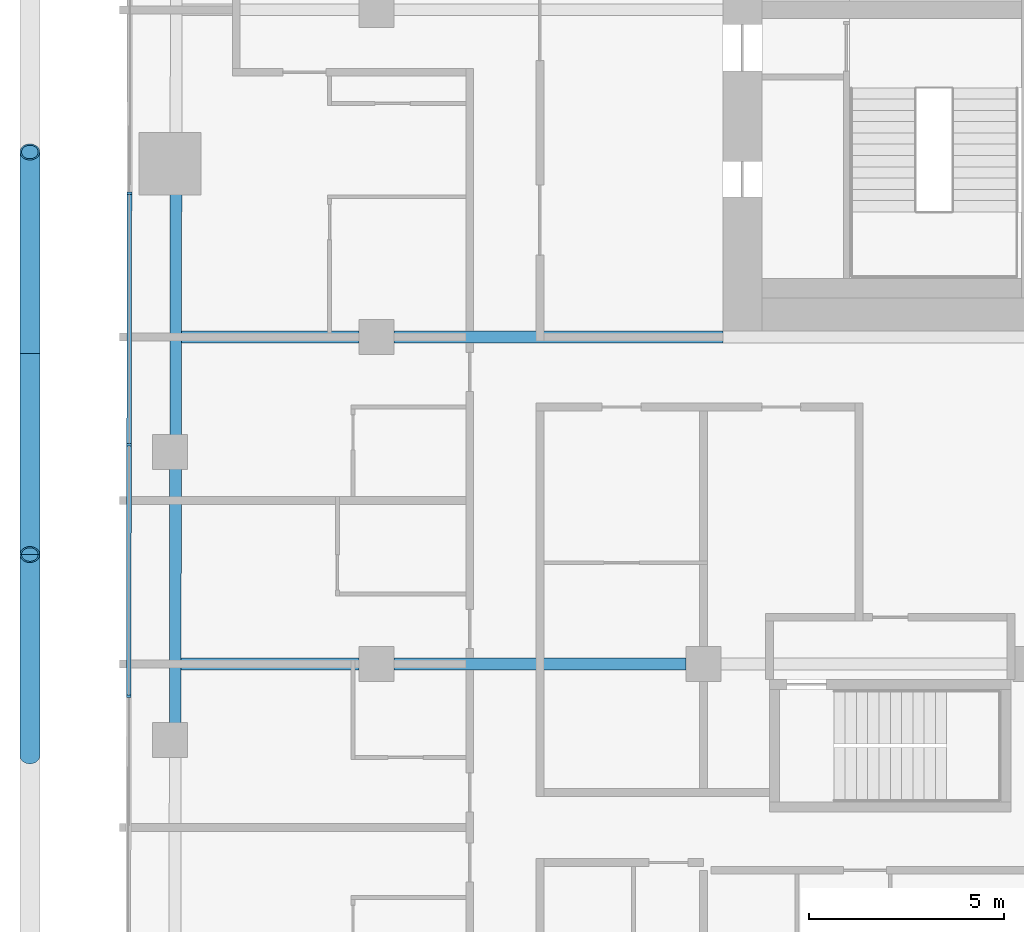
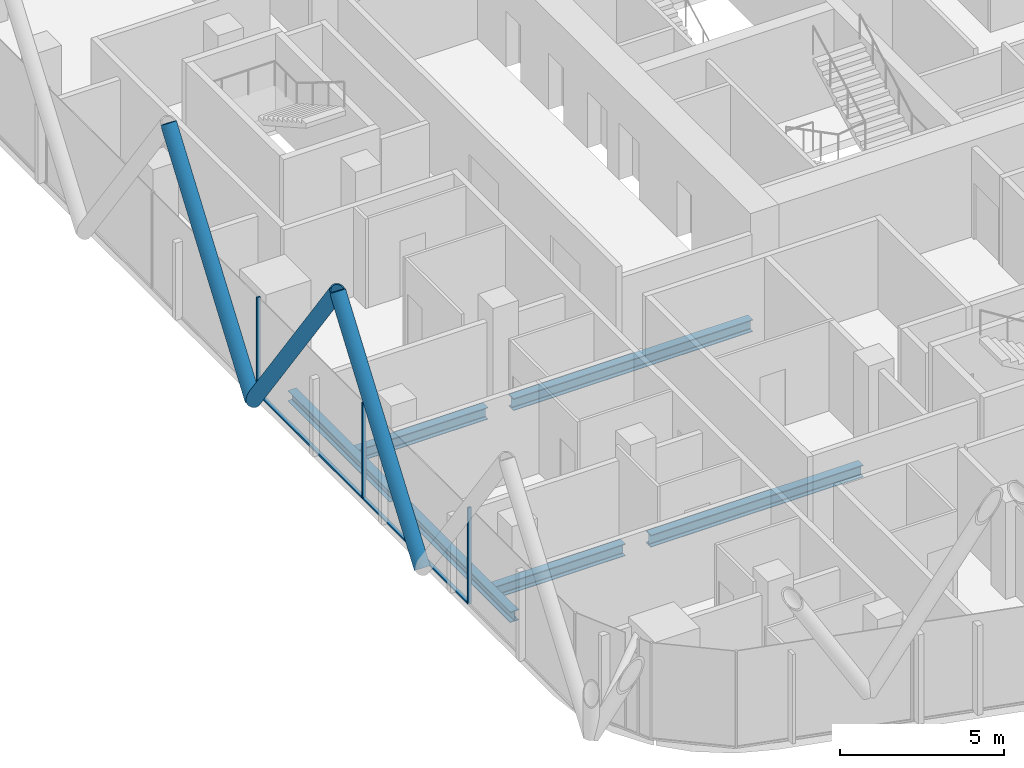
# One storey, part 4 of 33: 8 members, 6 beams, 1 element without a shape of its own.
"""IFC4 building model written with IfcOpenShell, lengths in metres."""

from ifc_helpers import new_model, si_unit, direction, frame, origin, origin_2d, place, context, subcontext, project, spatial, rectangle, hollow_circle, i_section, extrude, material, layer, layer_set, material_profile, profile_set, type_object, element, aggregate, save


model = new_model("IFC4")

# Units and contexts
model_context = context("Model", 3, precision=1e-05, world=origin(), true_north=direction((0.0, 1.0)))
body_context = subcontext(model_context, "Body", "Model", "MODEL_VIEW")
ifc_project = project(units=[si_unit("LENGTHUNIT", "METRE"), si_unit("AREAUNIT", "SQUARE_METRE"), si_unit("VOLUMEUNIT", "CUBIC_METRE"), si_unit("PLANEANGLEUNIT", "RADIAN"), si_unit("MASSUNIT", "GRAM", prefix="KILO")], contexts=[model_context])

# Site, building, storey
site_placement = place(None, origin())
site = spatial("IfcSite", under=ifc_project, at=site_placement, CompositionType="ELEMENT")
building_placement = place(site_placement, origin())
building = spatial("IfcBuilding", under=site, at=building_placement, Name="Marenta Gate Hotel Tower", CompositionType="ELEMENT")
storey_placement = place(building_placement, frame((0.0, 0.0, 151.699951171875)))
storey = spatial("IfcBuildingStorey", under=building, at=storey_placement, Name="L35", CompositionType="ELEMENT", Elevation=151.699951171875)

# Members
ifc_material_1 = material(Name="Steel S355J2W", Category="steel")
ifc_material_profile_1 = material_profile(ifc_material_1, hollow_circle(Radius=0.25390625, WallThickness=0.0400390625, at=origin_2d()), Name="CHS 508x40")
ifc_profile_set_1 = profile_set([ifc_material_profile_1], Name="Steel S355J2W")
member_type_1 = type_object("IfcMemberType", Name="Diagrid diagonal Z2 CHS 508x40", PredefinedType="BRACE", material=ifc_profile_set_1)
for number, where, z_axis, x_axis, name in (
    (1, (-29.89990234375, -10.760009765625, 3.14013671875), (0.0, 0.583260841117, 0.812284919975), (-1.0, 0.0, 0.0), "L35-DG-27"),
    (2, (-29.89990234375, -0.420166015625, 3.14013671875), (0.0, -0.583260841117, 0.812284919975), (1.0, 0.0, 0.0), "L35-DG-28"),
):
    element("IfcMember", number, at=place(storey_placement, frame(where, z_axis=z_axis, x_axis=x_axis)), inside=storey, type_object=member_type_1, Name=name, PredefinedType="BRACE", context=body_context, shape_type="SweptSolid", body=[
        extrude(hollow_circle(Radius=0.25390625, WallThickness=0.0400390625, at=origin_2d()), origin(), (0.0, 0.0, 1.0), 8.86376953125),
    ])
member_1_placement = place(storey_placement, frame((-29.89990234375, -0.420166015625, 3.14013671875), z_axis=(0.0, 0.583279014058, 0.812271870595), x_axis=(-1.0, 0.0, 0.0)))
element("IfcMember", 3, at=member_1_placement, inside=storey, type_object=member_type_1, Name="L35-DG-29", PredefinedType="BRACE", context=body_context, shape_type="SweptSolid", body=[
    extrude(hollow_circle(Radius=0.25390625, WallThickness=0.0400390625, at=origin_2d()), origin(), (0.0, 0.0, 1.0), 8.864013671875),
])

# Beams
ifc_material_2 = material(Name="Steel S355", Category="steel")
ifc_material_profile_2 = material_profile(ifc_material_2, i_section(OverallWidth=0.300048828125, OverallDepth=0.39990234375, WebThickness=0.013427734375, FlangeThickness=0.02392578125, FilletRadius=0.027099609375, at=origin_2d()), Name="HEB 400")
ifc_profile_set_2 = profile_set([ifc_material_profile_2], Name="Steel S355")
beam_type_1 = type_object("IfcBeamType", Name="Edge beam HEB 400", PredefinedType="SPANDREL", material=ifc_profile_set_2)
beam_1_placement = place(storey_placement, frame((-26.167236328125, -9.94189453125, -0.4599609375), z_axis=(0.001372605919, 0.999999057976, 0.0), x_axis=(-0.999999057976, 0.001372605919, 0.0)))
element("IfcBeam", 4, at=beam_1_placement, inside=storey, type_object=beam_type_1, Name="L35-EB-6", PredefinedType="SPANDREL", context=body_context, shape_type="SweptSolid", body=[
    extrude(i_section(OverallWidth=0.300048828125, OverallDepth=0.39990234375, WebThickness=0.013427734375, FlangeThickness=0.02392578125, FilletRadius=0.027099609375, at=origin_2d()), origin(), (0.0, 0.0, 1.0), 6.5810546875),
])
beam_2_placement = place(storey_placement, frame((-26.156982421875, -2.541015625, -0.4599609375), z_axis=(0.001371364591, 0.999999059679, 0.0), x_axis=(-0.999999059679, 0.001371364591, 0.0)))
element("IfcBeam", 5, at=beam_2_placement, inside=storey, type_object=beam_type_1, Name="L35-EB-7", PredefinedType="SPANDREL", context=body_context, shape_type="SweptSolid", body=[
    extrude(i_section(OverallWidth=0.300048828125, OverallDepth=0.39990234375, WebThickness=0.013427734375, FlangeThickness=0.02392578125, FilletRadius=0.027099609375, at=origin_2d()), origin(), (0.0, 0.0, 1.0), 6.23095703125),
])
ifc_material_3 = material(Name="Steel S355", Category="steel")
ifc_material_profile_3 = material_profile(ifc_material_3, i_section(OverallWidth=0.300048828125, OverallDepth=0.449951171875, WebThickness=0.013916015625, FlangeThickness=0.02587890625, FilletRadius=0.027099609375, at=origin_2d()), Name="HEB 450")
ifc_profile_set_3 = profile_set([ifc_material_profile_3], Name="Steel S355")
beam_type_2 = type_object("IfcBeamType", Name="Girder HEB 450", PredefinedType="BEAM", material=ifc_profile_set_3)
beam_3_placement = place(storey_placement, frame((-26.01513671875, -8.39990234375, -0.48486328125), z_axis=(1.0, 0.0, 0.0), x_axis=(0.0, 1.0, 0.0)))
element("IfcBeam", 6, at=beam_3_placement, inside=storey, type_object=beam_type_2, Name="L35-GD-8", PredefinedType="BEAM", context=body_context, shape_type="SweptSolid", body=[
    extrude(i_section(OverallWidth=0.300048828125, OverallDepth=0.449951171875, WebThickness=0.013916015625, FlangeThickness=0.02587890625, FilletRadius=0.027099609375, at=origin_2d()), origin(), (0.0, 0.0, 1.0), 4.565185546875),
])
beam_4_placement = place(storey_placement, frame((-20.550048828125, -8.39990234375, -0.48486328125), z_axis=(1.0, 0.0, 0.0), x_axis=(0.0, 1.0, 0.0)))
element("IfcBeam", 7, at=beam_4_placement, inside=storey, type_object=beam_type_2, Name="L35-GD-9", PredefinedType="BEAM", context=body_context, shape_type="SweptSolid", body=[
    extrude(i_section(OverallWidth=0.300048828125, OverallDepth=0.449951171875, WebThickness=0.013916015625, FlangeThickness=0.02587890625, FilletRadius=0.027099609375, at=origin_2d()), origin(), (0.0, 0.0, 1.0), 7.5),
])
beam_5_placement = place(storey_placement, frame((-26.003662109375, 0.0, -0.48486328125), z_axis=(1.0, 0.0, 0.0), x_axis=(0.0, 1.0, 0.0)))
element("IfcBeam", 8, at=beam_5_placement, inside=storey, type_object=beam_type_2, Name="L35-GD-15", PredefinedType="BEAM", context=body_context, shape_type="SweptSolid", body=[
    extrude(i_section(OverallWidth=0.300048828125, OverallDepth=0.449951171875, WebThickness=0.013916015625, FlangeThickness=0.02587890625, FilletRadius=0.027099609375, at=origin_2d()), origin(), (0.0, 0.0, 1.0), 4.5537109375),
])
beam_6_placement = place(storey_placement, frame((-20.550048828125, 0.0, -0.48486328125), z_axis=(1.0, 0.0, 0.0), x_axis=(0.0, 1.0, 0.0)))
element("IfcBeam", 9, at=beam_6_placement, inside=storey, type_object=beam_type_2, Name="L35-GD-16", PredefinedType="BEAM", context=body_context, shape_type="SweptSolid", body=[
    extrude(i_section(OverallWidth=0.300048828125, OverallDepth=0.449951171875, WebThickness=0.013916015625, FlangeThickness=0.02587890625, FilletRadius=0.027099609375, at=origin_2d()), origin(), (0.0, 0.0, 1.0), 8.449951171875),
])

# Curtain wall, members
ifc_material_4 = material(Name="Tinted insulated glass in bronze anodised frame", Category="glass")
ifc_layer = layer(ifc_material_4, 0.1201171875)
ifc_layer_set = layer_set([ifc_layer], Name="Tinted insulated glass in bronze anodised frame")
curtain_wall_type = type_object("IfcCurtainWallType", Name="Tower unitised curtain wall CW1", PredefinedType="NOTDEFINED", material=ifc_layer_set)
curtain_wall_placement = place(storey_placement, origin())
curtain_wall = element("IfcCurtainWall", 10, at=curtain_wall_placement, inside=storey, type_object=curtain_wall_type, Name="CW1 run G04", PredefinedType="NOTDEFINED")
ifc_material_5 = material(Name="Bronze anodised aluminium", Category="aluminium")
ifc_material_profile_4 = material_profile(ifc_material_5, rectangle(XDim=0.1201171875, YDim=0.06005859375, at=origin_2d()), Name="Mullion CW1 60x120 bronze anodised aluminium")
ifc_profile_set_4 = profile_set([ifc_material_profile_4], Name="Bronze anodised aluminium")
member_type_2 = type_object("IfcMemberType", Name="Mullion CW1 60x120 bronze anodised aluminium", PredefinedType="MULLION", material=ifc_profile_set_4)
member_2_placement = place(storey_placement, frame((-27.342529296875, 3.686279296875, 0.0), z_axis=(0.0, 0.0, 1.0), x_axis=(0.99999877375, -0.001566045546, 0.0)))
member_2 = element("IfcMember", 11, at=member_2_placement, type_object=member_type_2, Name="CW1 mullion 4", PredefinedType="MULLION", context=body_context, shape_type="SweptSolid", body=[
    extrude(rectangle(XDim=0.1201171875, YDim=0.06005859375, at=origin_2d()), origin(), (0.0, 0.0, 1.0), 3.60009765625),
])
member_3_placement = place(storey_placement, frame((-27.352783203125, -2.773681640625, 0.0), z_axis=(0.0, 0.0, 1.0), x_axis=(0.99999877375, -0.001566045546, 0.0)))
member_3 = element("IfcMember", 12, at=member_3_placement, type_object=member_type_2, Name="CW1 mullion 5", PredefinedType="MULLION", context=body_context, shape_type="SweptSolid", body=[
    extrude(rectangle(XDim=0.1201171875, YDim=0.06005859375, at=origin_2d()), origin(), (0.0, 0.0, 1.0), 3.60009765625),
])
member_4_placement = place(storey_placement, frame((-27.36279296875, -9.23388671875, 0.0), z_axis=(0.0, 0.0, 1.0), x_axis=(0.99999877375, -0.001566045546, 0.0)))
member_4 = element("IfcMember", 13, at=member_4_placement, type_object=member_type_2, Name="CW1 mullion 6", PredefinedType="MULLION", context=body_context, shape_type="SweptSolid", body=[
    extrude(rectangle(XDim=0.1201171875, YDim=0.06005859375, at=origin_2d()), origin(), (0.0, 0.0, 1.0), 3.60009765625),
])
ifc_material_6 = material(Name="Bronze anodised aluminium", Category="aluminium")
ifc_material_profile_5 = material_profile(ifc_material_6, rectangle(XDim=0.1201171875, YDim=0.06005859375, at=origin_2d()), Name="Transom CW1 60x120 bronze anodised aluminium")
ifc_profile_set_5 = profile_set([ifc_material_profile_5], Name="Bronze anodised aluminium")
member_type_3 = type_object("IfcMemberType", Name="Transom CW1 60x120 bronze anodised aluminium", PredefinedType="USERDEFINED", material=ifc_profile_set_5)
member_5_placement = place(storey_placement, frame((-27.3427734375, 3.65625, 0.030029296875), z_axis=(-0.001563988169, -0.99999877697, 0.0), x_axis=(0.99999877697, -0.001563988169, 0.0)))
member_5 = element("IfcMember", 14, at=member_5_placement, type_object=member_type_3, Name="CW1 transom 4.1", ObjectType="TRANSOM", PredefinedType="USERDEFINED", context=body_context, shape_type="SweptSolid", body=[
    extrude(rectangle(XDim=0.1201171875, YDim=0.06005859375, at=origin_2d()), origin(), (0.0, 0.0, 1.0), 6.400146484375),
])
member_6_placement = place(storey_placement, frame((-27.352783203125, -2.8037109375, 0.030029296875), z_axis=(-0.001563988169, -0.99999877697, 0.0), x_axis=(0.99999877697, -0.001563988169, 0.0)))
member_6 = element("IfcMember", 15, at=member_6_placement, type_object=member_type_3, Name="CW1 transom 5.1", ObjectType="TRANSOM", PredefinedType="USERDEFINED", context=body_context, shape_type="SweptSolid", body=[
    extrude(rectangle(XDim=0.1201171875, YDim=0.06005859375, at=origin_2d()), origin(), (0.0, 0.0, 1.0), 6.400146484375),
])
aggregate(curtain_wall, [member_2, member_3, member_4, member_5, member_6])

save(model, "model.ifc")
